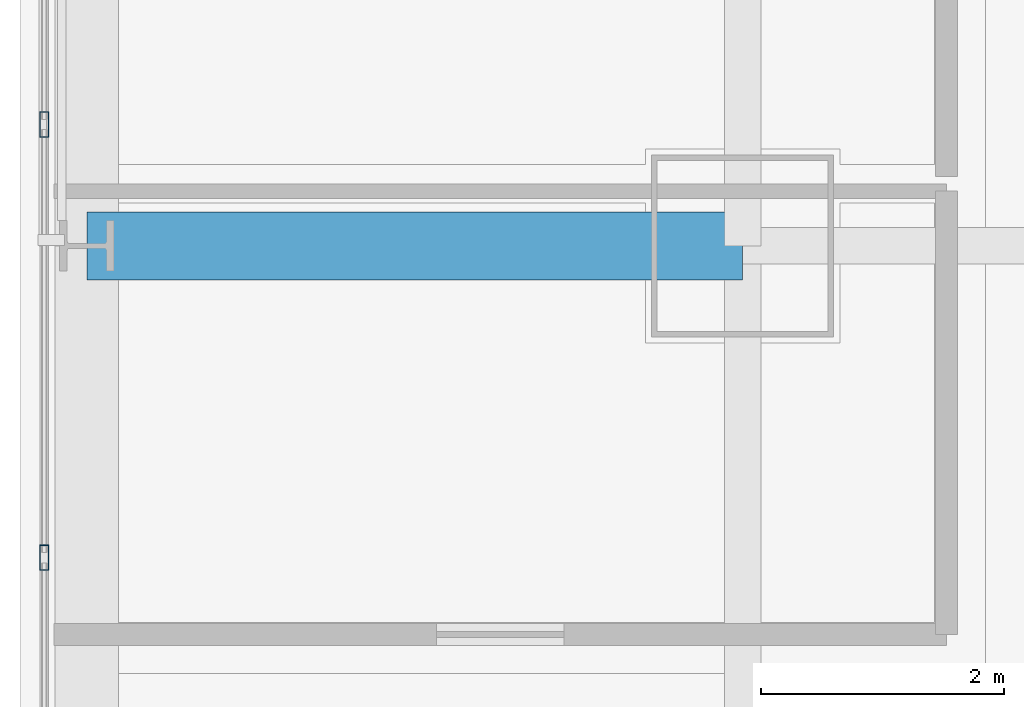
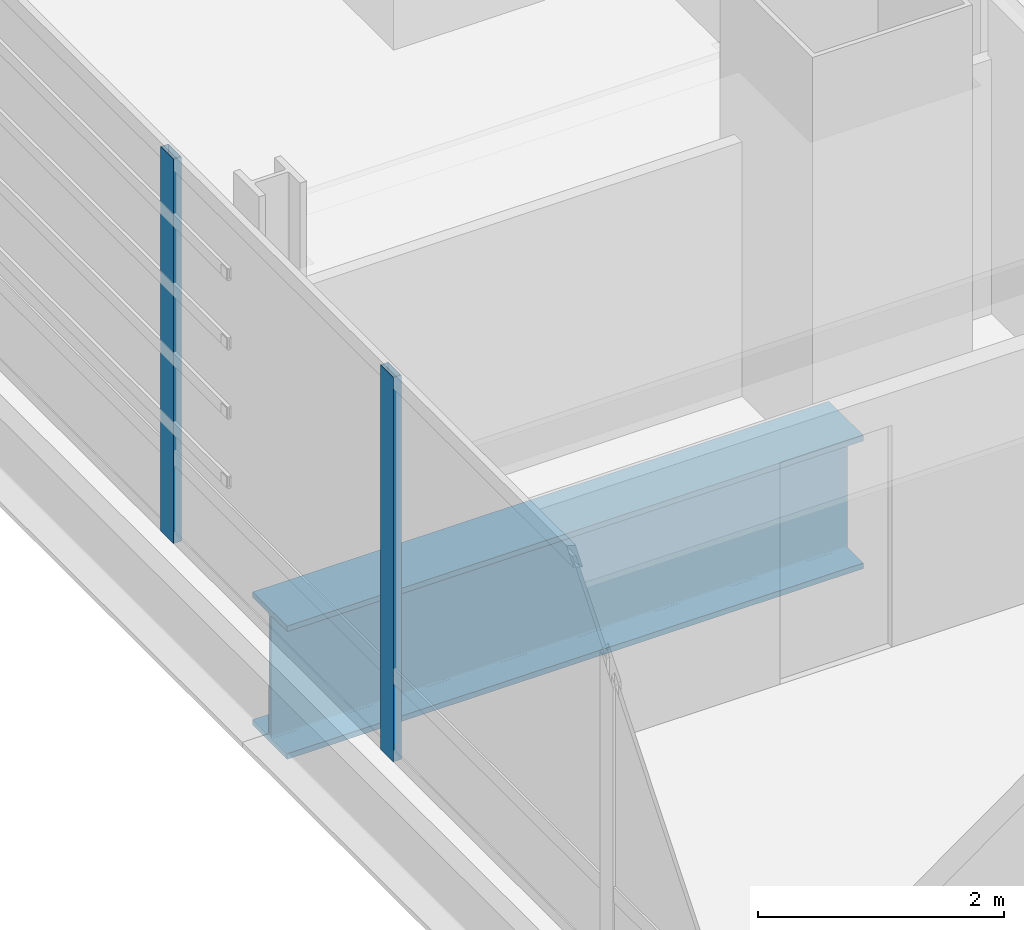
# One storey, part 9 of 36: 2 members, 1 beam, 1 element without a shape of its own.
"""IFC4 building model written with IfcOpenShell, lengths in metres."""

from ifc_helpers import new_model, si_unit, direction, frame, origin, origin_2d, place, context, subcontext, project, spatial, hollow_rectangle, i_section, extrude, material, material_profile, profile_set, type_object, element, aggregate, save


model = new_model("IFC4")

# Units and contexts
model_context = context("Model", 3, precision=1e-05, world=origin(), true_north=direction((0.0, 1.0)))
body_context = subcontext(model_context, "Body", "Model", "MODEL_VIEW")
ifc_project = project(units=[si_unit("LENGTHUNIT", "METRE"), si_unit("AREAUNIT", "SQUARE_METRE"), si_unit("VOLUMEUNIT", "CUBIC_METRE"), si_unit("PLANEANGLEUNIT", "RADIAN"), si_unit("MASSUNIT", "GRAM", prefix="KILO")], contexts=[model_context])

# Site, building, storey
site_placement = place(None, origin())
site = spatial("IfcSite", under=ifc_project, at=site_placement, CompositionType="ELEMENT")
building_placement = place(site_placement, origin())
building = spatial("IfcBuilding", under=site, at=building_placement, Name="Punatoya Terracotta Tower", CompositionType="ELEMENT")
storey_placement = place(building_placement, frame((0.0, 0.0, 36.300048828125)))
storey = spatial("IfcBuildingStorey", under=building, at=storey_placement, Name="L07", CompositionType="ELEMENT", Elevation=36.300048828125)

# Beam
ifc_material_1 = material(Name="Steel S460", Category="steel")
ifc_material_profile_1 = material_profile(ifc_material_1, i_section(OverallWidth=0.56005859375, OverallDepth=1.320068359375, WebThickness=0.035888671875, FlangeThickness=0.054931640625, FilletRadius=0.01806640625, at=origin_2d()))
ifc_profile_set_1 = profile_set([ifc_material_profile_1], Name="Steel S460")
beam_type = type_object("IfcBeamType", Name="BM-TG-BLK", PredefinedType="BEAM", material=ifc_profile_set_1)
beam_placement = place(storey_placement, frame((-24.5, -3.39990234375, -0.900146484375), z_axis=(1.0, 0.0, 0.0), x_axis=(0.0, 1.0, 0.0)))
element("IfcBeam", 1, at=beam_placement, inside=storey, type_object=beam_type, Name="BM-L07-CANT-W2", PredefinedType="BEAM", context=body_context, shape_type="SweptSolid", body=[
    extrude(i_section(OverallWidth=0.56005859375, OverallDepth=1.320068359375, WebThickness=0.035888671875, FlangeThickness=0.054931640625, FilletRadius=0.01806640625, at=origin_2d()), origin(), (0.0, 0.0, 1.0), 5.39990234375),
])

# Curtain wall, members
ifc_material_2 = material(Name="Aluminium 6063-T6 + Double Low-E Glass", Category="aluminium")
curtain_wall_type = type_object("IfcCurtainWallType", Name="CW-M1", PredefinedType="NOTDEFINED", material=ifc_material_2)
curtain_wall_placement = place(storey_placement, origin())
curtain_wall = element("IfcCurtainWall", 2, at=curtain_wall_placement, inside=storey, type_object=curtain_wall_type, Name="L07 Curtain Wall CW-L07-W13-1", PredefinedType="NOTDEFINED")
ifc_material_3 = material(Name="Aluminium 6063-T6", Category="aluminium")
ifc_material_profile_2 = material_profile(ifc_material_3, hollow_rectangle(XDim=0.074951171875, YDim=0.2099609375, WallThickness=0.00439453125, at=origin_2d()))
ifc_profile_set_2 = profile_set([ifc_material_profile_2], Name="Aluminium 6063-T6")
member_type = type_object("IfcMemberType", Name="CW-MUL-M1", PredefinedType="MULLION", material=ifc_profile_set_2)
member_1_placement = place(storey_placement, frame((-24.85009765625, -2.39990234375, 0.0), z_axis=(0.0, 0.0, 1.0), x_axis=(1.0, 0.0, 0.0)))
member_1 = element("IfcMember", 3, at=member_1_placement, type_object=member_type, Name="CW-L07-W13-1 Mullion 05", PredefinedType="MULLION", context=body_context, shape_type="SweptSolid", body=[
    extrude(hollow_rectangle(XDim=0.074951171875, YDim=0.2099609375, WallThickness=0.00439453125, at=origin_2d()), origin(), (0.0, 0.0, 1.0), 3.81005859375),
])
member_2_placement = place(storey_placement, frame((-24.85009765625, -5.96728515625, 0.0), z_axis=(0.0, 0.0, 1.0), x_axis=(1.0, 0.0, 0.0)))
member_2 = element("IfcMember", 4, at=member_2_placement, type_object=member_type, Name="CW-L07-W13-1 Mullion 06", PredefinedType="MULLION", context=body_context, shape_type="SweptSolid", body=[
    extrude(hollow_rectangle(XDim=0.074951171875, YDim=0.2099609375, WallThickness=0.00439453125, at=origin_2d()), origin(), (0.0, 0.0, 1.0), 3.81005859375),
])
aggregate(curtain_wall, [member_1, member_2])

save(model, "model.ifc")
